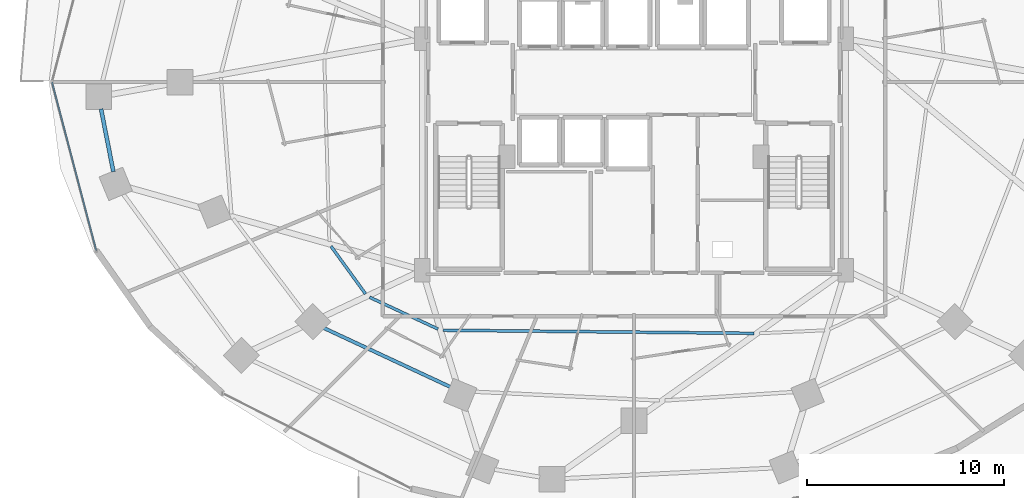
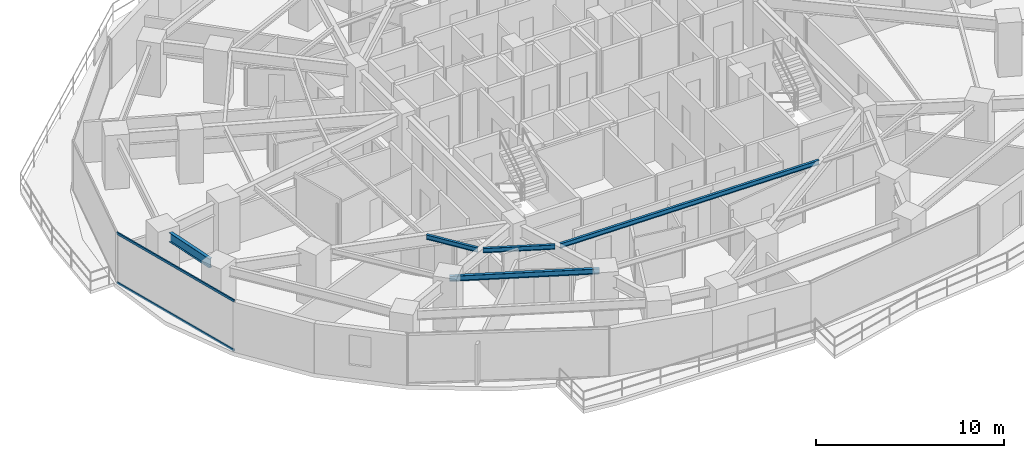
# One storey, part 7 of 36: 5 beams, 2 members, 1 element without a shape of its own.
"""IFC4 building model written with IfcOpenShell, lengths in metres."""

from ifc_helpers import new_model, si_unit, direction, frame, origin, origin_2d, place, context, subcontext, project, spatial, hollow_rectangle, i_section, extrude, material, material_profile, profile_set, type_object, element, aggregate, save


model = new_model("IFC4")

# Units and contexts
model_context = context("Model", 3, precision=1e-05, world=origin(), true_north=direction((0.0, 1.0)))
body_context = subcontext(model_context, "Body", "Model", "MODEL_VIEW")
ifc_project = project(units=[si_unit("LENGTHUNIT", "METRE"), si_unit("AREAUNIT", "SQUARE_METRE"), si_unit("VOLUMEUNIT", "CUBIC_METRE"), si_unit("PLANEANGLEUNIT", "RADIAN"), si_unit("MASSUNIT", "GRAM", prefix="KILO")], contexts=[model_context])

# Site, building, storey
site_placement = place(None, origin())
site = spatial("IfcSite", under=ifc_project, at=site_placement, CompositionType="ELEMENT")
building_placement = place(site_placement, origin())
building = spatial("IfcBuilding", under=site, at=building_placement, Name="Vorneva Point Tower", CompositionType="ELEMENT")
storey_placement = place(building_placement, frame((0.0, 0.0, 24.0)))
storey = spatial("IfcBuildingStorey", under=building, at=storey_placement, Name="L05", CompositionType="ELEMENT", Elevation=24.0)

# Beams
ifc_material_1 = material(Name="Steel S355", Category="steel")
ifc_material_profile_1 = material_profile(ifc_material_1, i_section(OverallWidth=0.14892578125, OverallDepth=0.298095703125, WebThickness=0.005615234375, FlangeThickness=0.008056640625, at=origin_2d()), Name="30B1")
ifc_profile_set_1 = profile_set([ifc_material_profile_1], Name="Steel S355")
beam_type_1 = type_object("IfcBeamType", Name="BM-JST-30B1", PredefinedType="JOIST", material=ifc_profile_set_1)
beam_1_placement = place(storey_placement, frame((22.617431640625, 17.664794921875, 3.091064453125), z_axis=(0.586519051384, -0.809935430984, 0.0), x_axis=(0.809935430984, 0.586519051384, 0.0)))
element("IfcBeam", 1, at=beam_1_placement, inside=storey, type_object=beam_type_1, Name="L05 Secondary Floor Beam 2.10", PredefinedType="JOIST", context=body_context, shape_type="SweptSolid", body=[
    extrude(i_section(OverallWidth=0.14892578125, OverallDepth=0.298095703125, WebThickness=0.005615234375, FlangeThickness=0.008056640625, at=origin_2d()), origin(), (0.0, 0.0, 1.0), 2.98876953125),
])
beam_2_placement = place(storey_placement, frame((24.576416015625, 15.07421875, 3.091064453125), z_axis=(0.906875117786, -0.421399478808, 0.0), x_axis=(0.421399478808, 0.906875117786, 0.0)))
element("IfcBeam", 2, at=beam_2_placement, inside=storey, type_object=beam_type_1, Name="L05 Secondary Floor Beam 2.11", PredefinedType="JOIST", context=body_context, shape_type="SweptSolid", body=[
    extrude(i_section(OverallWidth=0.14892578125, OverallDepth=0.298095703125, WebThickness=0.005615234375, FlangeThickness=0.008056640625, at=origin_2d()), origin(), (0.0, 0.0, 1.0), 3.8330078125),
])
beam_3_placement = place(storey_placement, frame((28.315673828125, 13.399658203125, 3.091064453125), z_axis=(0.999949783925, -0.010021458443, 0.0), x_axis=(0.010021458443, 0.999949783925, 0.0)))
element("IfcBeam", 3, at=beam_3_placement, inside=storey, type_object=beam_type_1, Name="L05 Secondary Floor Beam 2.12", PredefinedType="JOIST", context=body_context, shape_type="SweptSolid", body=[
    extrude(i_section(OverallWidth=0.14892578125, OverallDepth=0.298095703125, WebThickness=0.005615234375, FlangeThickness=0.008056640625, at=origin_2d()), origin(), (0.0, 0.0, 1.0), 15.786376953125),
])
ifc_material_profile_2 = material_profile(ifc_material_1, i_section(OverallWidth=0.174072265625, OverallDepth=0.345947265625, WebThickness=0.006103515625, FlangeThickness=0.009033203125, at=origin_2d()), Name="35B1")
ifc_profile_set_2 = profile_set([ifc_material_profile_2], Name="Steel S355")
beam_type_2 = type_object("IfcBeamType", Name="BM-SEC-35B1", PredefinedType="BEAM", material=ifc_profile_set_2)
beam_4_placement = place(storey_placement, frame((21.7529296875, 13.7451171875, 3.06689453125), z_axis=(0.906436807177, -0.422341466818, 0.0), x_axis=(0.422341466818, 0.906436807177, 0.0)))
element("IfcBeam", 4, at=beam_4_placement, inside=storey, type_object=beam_type_2, Name="L05 Secondary Floor Beam 1.11", PredefinedType="BEAM", context=body_context, shape_type="SweptSolid", body=[
    extrude(i_section(OverallWidth=0.174072265625, OverallDepth=0.345947265625, WebThickness=0.006103515625, FlangeThickness=0.009033203125, at=origin_2d()), origin(), (0.0, 0.0, 1.0), 7.98583984375),
])
ifc_material_profile_3 = material_profile(ifc_material_1, i_section(OverallWidth=0.198974609375, OverallDepth=0.595947265625, WebThickness=0.010009765625, FlangeThickness=0.014892578125, at=origin_2d()), Name="60B1")
ifc_profile_set_3 = profile_set([ifc_material_profile_3], Name="Steel S355")
beam_type_3 = type_object("IfcBeamType", Name="BM-SPN-60B1", PredefinedType="SPANDREL", material=ifc_profile_set_3)
beam_5_placement = place(storey_placement, frame((10.940185546875, 24.6376953125, 2.94189453125), z_axis=(0.192701334008, -0.981257456467, 0.0), x_axis=(0.981257456467, 0.192701334008, 0.0)))
element("IfcBeam", 5, at=beam_5_placement, inside=storey, type_object=beam_type_3, Name="L05 Perimeter Spandrel Ring Beam 09", PredefinedType="SPANDREL", context=body_context, shape_type="SweptSolid", body=[
    extrude(i_section(OverallWidth=0.198974609375, OverallDepth=0.595947265625, WebThickness=0.010009765625, FlangeThickness=0.014892578125, at=origin_2d()), origin(), (0.0, 0.0, 1.0), 3.245849609375),
])

# Curtain wall, members
ifc_material_2 = material(Name="Pale anodised aluminium", Category="aluminium")
curtain_wall_type = type_object("IfcCurtainWallType", Name="CW-HTL-SYS", PredefinedType="NOTDEFINED", material=ifc_material_2)
curtain_wall_placement = place(storey_placement, origin())
curtain_wall = element("IfcCurtainWall", 6, at=curtain_wall_placement, inside=storey, type_object=curtain_wall_type, Name="L05 Unitised Curtain Wall CW-L05-R03", PredefinedType="NOTDEFINED")
ifc_material_profile_4 = material_profile(ifc_material_2, hollow_rectangle(XDim=0.074951171875, YDim=0.14990234375, WallThickness=0.00390625, at=origin_2d()), Name="AL-TRN 150x75x4")
ifc_profile_set_4 = profile_set([ifc_material_profile_4], Name="Pale anodised aluminium")
member_type = type_object("IfcMemberType", Name="CW-TRN-150", PredefinedType="USERDEFINED", material=ifc_profile_set_4)
member_1_placement = place(storey_placement, frame((8.449951171875, 26.0, 0.02001953125), z_axis=(0.254358772746, -0.967109928978, 0.0), x_axis=(0.967109928978, 0.254358772746, 0.0)))
member_1 = element("IfcMember", 7, at=member_1_placement, type_object=member_type, Name="CW-L05-R03 Transom 03.1", ObjectType="TRANSOM", PredefinedType="USERDEFINED", context=body_context, shape_type="SweptSolid", body=[
    extrude(hollow_rectangle(XDim=0.074951171875, YDim=0.14990234375, WallThickness=0.00390625, at=origin_2d()), origin(), (0.0, 0.0, 1.0), 8.84375),
])
member_2_placement = place(storey_placement, frame((8.449951171875, 26.0, 3.219970703125), z_axis=(0.254358772746, -0.967109928978, 0.0), x_axis=(0.967109928978, 0.254358772746, 0.0)))
member_2 = element("IfcMember", 8, at=member_2_placement, type_object=member_type, Name="CW-L05-R03 Transom 03.2", ObjectType="TRANSOM", PredefinedType="USERDEFINED", context=body_context, shape_type="SweptSolid", body=[
    extrude(hollow_rectangle(XDim=0.074951171875, YDim=0.14990234375, WallThickness=0.00390625, at=origin_2d()), origin(), (0.0, 0.0, 1.0), 8.84375),
])
aggregate(curtain_wall, [member_1, member_2])

save(model, "model.ifc")
